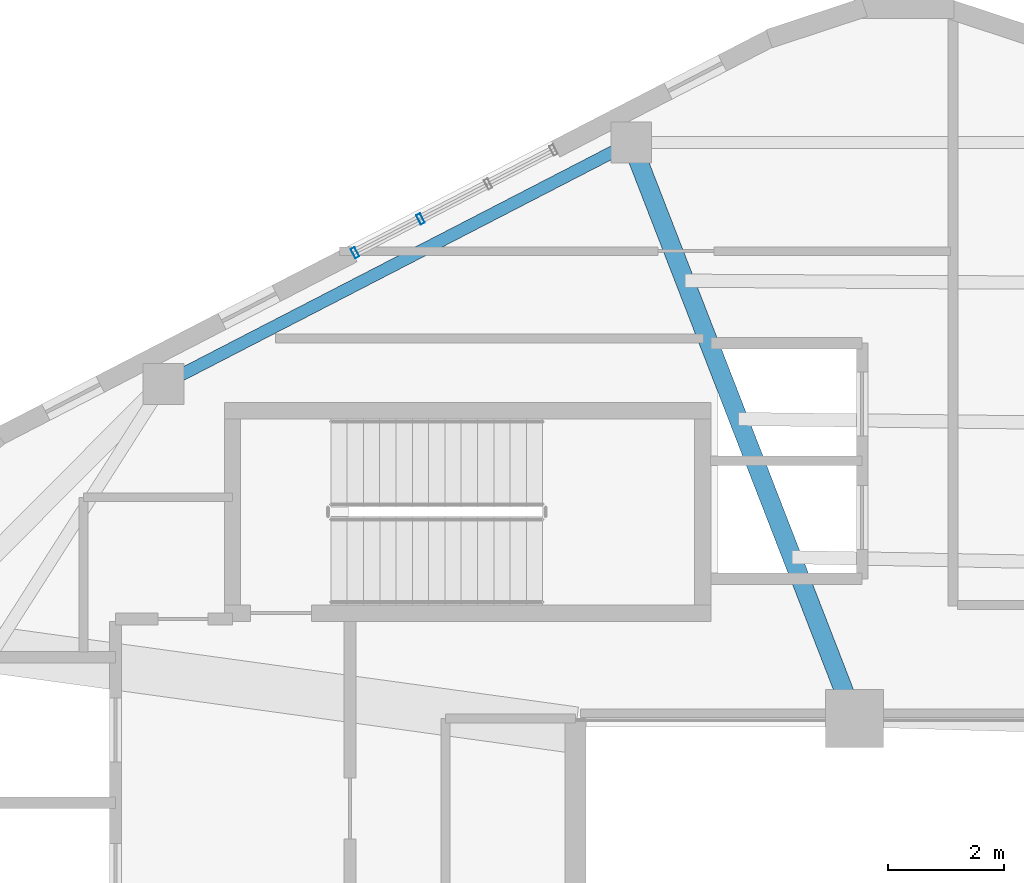
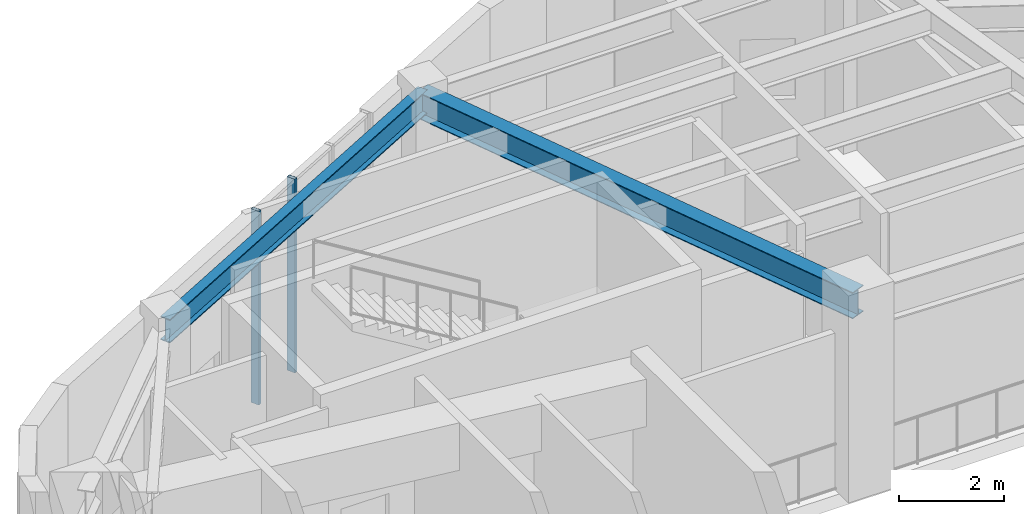
# One storey, part 6 of 18: 2 beams, 2 members, 1 element without a shape of its own.
"""IFC4 building model written with IfcOpenShell, lengths in metres."""

from ifc_helpers import new_model, si_unit, direction, frame, origin, origin_2d, place, context, subcontext, project, spatial, hollow_rectangle, i_section, extrude, material, layer, layer_set, material_profile, profile_set, type_object, element, aggregate, save


model = new_model("IFC4")

# Units and contexts
model_context = context("Model", 3, precision=1e-05, world=origin(), true_north=direction((0.0, 1.0)))
body_context = subcontext(model_context, "Body", "Model", "MODEL_VIEW")
ifc_project = project(units=[si_unit("LENGTHUNIT", "METRE"), si_unit("AREAUNIT", "SQUARE_METRE"), si_unit("VOLUMEUNIT", "CUBIC_METRE"), si_unit("PLANEANGLEUNIT", "RADIAN"), si_unit("MASSUNIT", "GRAM", prefix="KILO"), si_unit("THERMODYNAMICTEMPERATUREUNIT", "KELVIN"), si_unit("POWERUNIT", "WATT")], contexts=[model_context])

# Site, building, storey
site_placement = place(None, origin())
site = spatial("IfcSite", under=ifc_project, at=site_placement, CompositionType="ELEMENT")
building_placement = place(site_placement, origin())
building = spatial("IfcBuilding", under=site, at=building_placement, Name="Skarre Station Tower", CompositionType="ELEMENT")
storey_placement = place(building_placement, frame((0.0, 0.0, 270.300048828125)))
storey = spatial("IfcBuildingStorey", under=building, at=storey_placement, Name="L74", CompositionType="ELEMENT", Elevation=270.300048828125)

# Curtain wall, members
ifc_material_1 = material(Name="Thermally Broken Bronze-Anodized Aluminium & Triple Low-E Glass", Category="aluminium")
ifc_layer = layer(ifc_material_1, 0.219970703125, Name="Thermally Broken Bronze-Anodized Aluminium & Triple Low-E Glass")
ifc_layer_set = layer_set([ifc_layer], Name="Thermally Broken Bronze-Anodized Aluminium & Triple Low-E Glass")
curtain_wall_type = type_object("IfcCurtainWallType", Name="Observation Deck Panorama Unitised Curtain Wall", PredefinedType="NOTDEFINED", material=ifc_layer_set)
curtain_wall_placement = place(storey_placement, origin())
curtain_wall = element("IfcCurtainWall", 1, at=curtain_wall_placement, inside=storey, type_object=curtain_wall_type, Name="L74 Facet 1 Observatory Curtain Wall", PredefinedType="NOTDEFINED")
ifc_material_2 = material(Name="Anodized Aluminium 6063-T6", Category="aluminium")
ifc_material_profile_1 = material_profile(ifc_material_2, hollow_rectangle(XDim=0.074951171875, YDim=0.179931640625, WallThickness=0.00390625, at=origin_2d()), Name="Anodized Aluminium 6063-T6")
ifc_profile_set_1 = profile_set([ifc_material_profile_1], Name="Anodized Aluminium 6063-T6")
member_type = type_object("IfcMemberType", Name="Curtain-Wall Unitised Tower Mullion 180x75", PredefinedType="MULLION", material=ifc_profile_set_1)
member_1_placement = place(storey_placement, frame((23.764892578125, 37.552978515625, 0.0), z_axis=(0.0, 0.0, 1.0), x_axis=(0.88848110948, 0.458913192332, 0.0)))
member_1 = element("IfcMember", 2, at=member_1_placement, type_object=member_type, Name="L74 Facet 1 Observatory Curtain Wall Mullion 1", PredefinedType="MULLION", context=body_context, shape_type="SweptSolid", body=[
    extrude(hollow_rectangle(XDim=0.074951171875, YDim=0.179931640625, WallThickness=0.00390625, at=origin_2d()), origin(), (0.0, 0.0, 1.0), 4.489990234375),
])
member_2_placement = place(storey_placement, frame((24.889892578125, 38.135009765625, 0.0), z_axis=(0.0, 0.0, 1.0), x_axis=(0.88848110948, 0.458913192332, 0.0)))
member_2 = element("IfcMember", 3, at=member_2_placement, type_object=member_type, Name="L74 Facet 1 Observatory Curtain Wall Mullion 2", PredefinedType="MULLION", context=body_context, shape_type="SweptSolid", body=[
    extrude(hollow_rectangle(XDim=0.074951171875, YDim=0.179931640625, WallThickness=0.00390625, at=origin_2d()), origin(), (0.0, 0.0, 1.0), 4.489990234375),
])
aggregate(curtain_wall, [member_1, member_2])

# Beams
ifc_material_3 = material(Name="Steel ASTM A992 Grade 50", Category="steel")
ifc_material_profile_2 = material_profile(ifc_material_3, i_section(OverallWidth=0.323974609375, OverallDepth=0.611083984375, WebThickness=0.012939453125, FlangeThickness=0.01904296875, at=origin_2d()), Name="Steel ASTM A992 Grade 50")
ifc_profile_set_2 = profile_set([ifc_material_profile_2], Name="Steel ASTM A992 Grade 50")
beam_type_1 = type_object("IfcBeamType", Name="Steel Beam W24X104", PredefinedType="BEAM", material=ifc_profile_set_2)
beam_1_placement = place(storey_placement, frame((32.35009765625, 29.550048828125, 4.18505859375), z_axis=(-0.361651478681, 0.932313363611, 0.0), x_axis=(-0.932313363611, -0.361651478681, 0.0)))
element("IfcBeam", 4, at=beam_1_placement, inside=storey, type_object=beam_type_1, Name="L74 Radial Floor Girder F1C1", PredefinedType="BEAM", context=body_context, shape_type="SweptSolid", body=[
    extrude(i_section(OverallWidth=0.323974609375, OverallDepth=0.611083984375, WebThickness=0.012939453125, FlangeThickness=0.01904296875, at=origin_2d()), origin(), (0.0, 0.0, 1.0), 10.615478515625),
])
ifc_material_profile_3 = material_profile(ifc_material_3, i_section(OverallWidth=0.214111328125, OverallDepth=0.549072265625, WebThickness=0.014892578125, FlangeThickness=0.02392578125, at=origin_2d()), Name="Steel ASTM A992 Grade 50")
ifc_profile_set_3 = profile_set([ifc_material_profile_3], Name="Steel ASTM A992 Grade 50")
beam_type_2 = type_object("IfcBeamType", Name="Steel Spandrel W21X93", PredefinedType="SPANDREL", material=ifc_profile_set_3)
beam_2_placement = place(storey_placement, frame((28.510986328125, 39.447021484375, 4.216064453125), z_axis=(-0.888610011727, -0.458663544505, 0.0), x_axis=(0.458663544505, -0.888610011727, 0.0)))
element("IfcBeam", 5, at=beam_2_placement, inside=storey, type_object=beam_type_2, Name="L74 Facet Spandrel Beam 3", PredefinedType="SPANDREL", context=body_context, shape_type="SweptSolid", body=[
    extrude(i_section(OverallWidth=0.214111328125, OverallDepth=0.549072265625, WebThickness=0.014892578125, FlangeThickness=0.02392578125, at=origin_2d()), origin(), (0.0, 0.0, 1.0), 9.045654296875),
])

save(model, "model.ifc")
